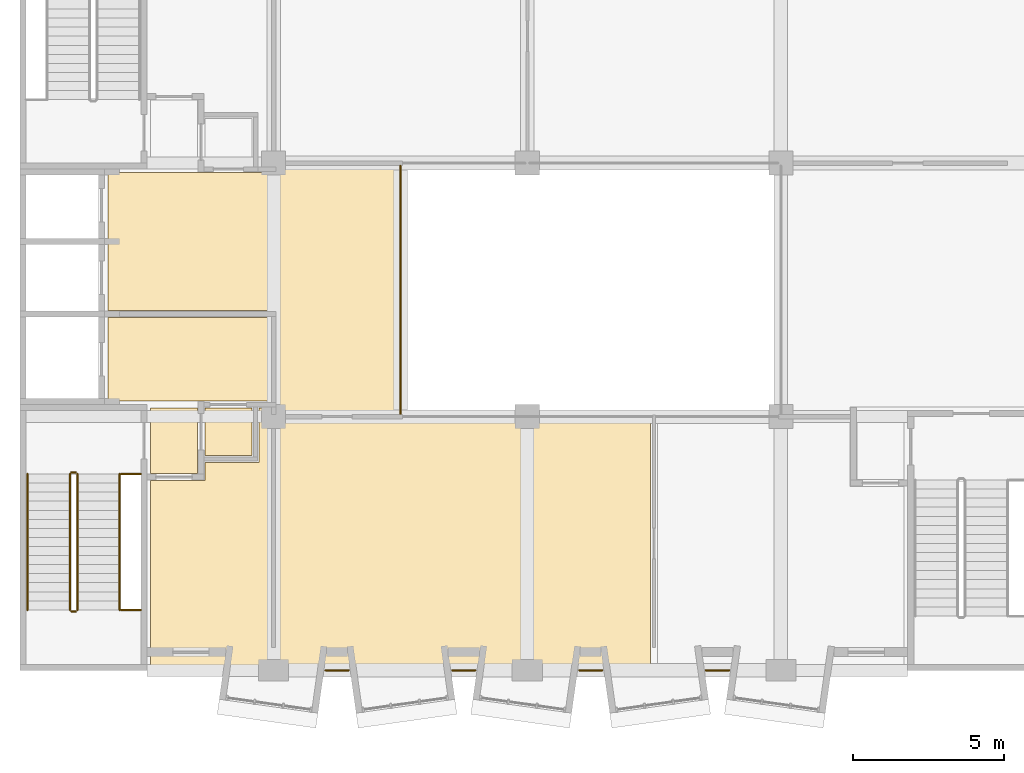
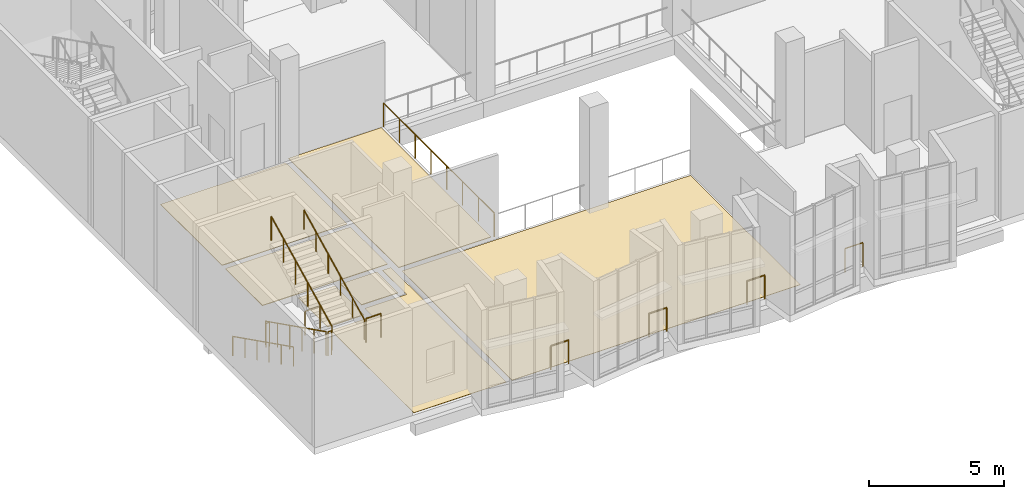
# One storey, part 66 of 86: 13 railings, 7 coverings.
"""IFC4 building model written with IfcOpenShell, lengths in metres."""

import ifcopenshell
import ifcopenshell.guid

model = None  # the IFC model being written
_history = None  # IfcOwnerHistory: only IFC2X3 demands one
_inside = {}  # id of a spatial element -> (the spatial element, [elements in it])
_under = {}  # id of a project, library or spatial element -> (it, [spatial elements below it])
_declared = {}  # id of a project -> (the project, [libraries it declares])
_typed = {}  # id of a type object -> (the type object, [elements of that type])
_made_of = {}  # id of a material, layer set ... -> (it, [elements and type objects made of it])


def new_model(schema):
    """Start an empty IFC model of exactly this schema.

    Asked for "IFC4X3", IfcOpenShell would pick the latest addendum, in which some entities
    have other attributes; the version numbers below select the first issue.
    IFC2X3 requires an IfcOwnerHistory on every rooted entity: one is made here for all.
    """
    global model, _history
    if schema == "IFC4X3":
        model = ifcopenshell.file(schema_version=(4, 3, 0, 0))
    else:
        model = ifcopenshell.file(schema=schema)
    _inside.clear()
    _under.clear()
    _declared.clear()
    _typed.clear()
    _made_of.clear()
    _history = None
    if model.schema == "IFC2X3":
        org = make("IfcOrganization", Name="unknown")
        user = make(
            "IfcPersonAndOrganization",
            ThePerson=make("IfcPerson", FamilyName="unknown"),
            TheOrganization=org,
        )
        app = make(
            "IfcApplication",
            ApplicationDeveloper=org,
            Version="unknown",
            ApplicationFullName="unknown",
            ApplicationIdentifier="unknown",
        )
        _history = make(
            "IfcOwnerHistory",
            OwningUser=user,
            OwningApplication=app,
            ChangeAction="ADDED",
            CreationDate=0,
        )
    return model


def make(cls, **values):
    """One entity of the class cls with the attributes given. An attribute that is None is left unset."""
    return model.create_entity(
        cls, **{name: value for name, value in values.items() if value is not None}
    )


def rooted(cls, **values):
    """An entity with a GlobalId (a new one), such as an element, a storey or a relation."""
    return make(cls, GlobalId=ifcopenshell.guid.new(), OwnerHistory=_history, **values)


def si_unit(unit_type, name, prefix=None):
    """IfcSIUnit, for example si_unit("LENGTHUNIT", "METRE", prefix="MILLI")."""
    return make("IfcSIUnit", UnitType=unit_type, Prefix=prefix, Name=name)


def assignment(units):
    """IfcUnitAssignment: the units of a project."""
    return None if units is None else make("IfcUnitAssignment", Units=units)


def point(xyz):
    """IfcCartesianPoint."""
    return None if xyz is None else make("IfcCartesianPoint", Coordinates=xyz)


def direction(xyz):
    """IfcDirection."""
    return None if xyz is None else make("IfcDirection", DirectionRatios=xyz)


def frame(location, z_axis=None, x_axis=None):
    """IfcAxis2Placement3D, a coordinate frame: its origin and axes. An axis left out is left unset."""
    return make(
        "IfcAxis2Placement3D",
        Location=point(location),
        Axis=direction(z_axis),
        RefDirection=direction(x_axis),
    )


def frame_2d(location, x_axis=None):
    """IfcAxis2Placement2D, a coordinate frame in the plane: its origin and x axis."""
    return make(
        "IfcAxis2Placement2D", Location=point(location), RefDirection=direction(x_axis)
    )


def origin():
    """The frame at (0, 0, 0) with its axes left unset."""
    return frame((0.0, 0.0, 0.0))


def origin_2d():
    """The frame at (0, 0) in the plane with its x axis left unset."""
    return frame_2d((0.0, 0.0))


def place(relative_to, where):
    """IfcLocalPlacement: puts the frame where relative to a parent placement (None: the world)."""
    return make(
        "IfcLocalPlacement", PlacementRelTo=relative_to, RelativePlacement=where
    )


def context(
    kind, dimensions, precision=None, world=None, true_north=None, identifier=None
):
    """IfcGeometricRepresentationContext, for example the 3D "Model" context."""
    return make(
        "IfcGeometricRepresentationContext",
        ContextIdentifier=identifier,
        ContextType=kind,
        CoordinateSpaceDimension=dimensions,
        Precision=precision,
        WorldCoordinateSystem=world,
        TrueNorth=true_north,
    )


def subcontext(parent, identifier, kind, view, scale=None):
    """IfcGeometricRepresentationSubContext, for example "Body" below "Model"."""
    return make(
        "IfcGeometricRepresentationSubContext",
        ContextIdentifier=identifier,
        ContextType=kind,
        ParentContext=parent,
        TargetScale=scale,
        TargetView=view,
    )


def project(units=None, contexts=None):
    """IfcProject with its units and contexts."""
    return rooted(
        "IfcProject",
        Name="project",
        RepresentationContexts=contexts,
        UnitsInContext=assignment(units),
    )


def spatial(cls, under=None, at=None, **own):
    """A site, building, storey or space (cls), placed at a placement, below another one or the project."""
    s = rooted(cls, ObjectPlacement=at, **own)
    if under is not None:
        _under.setdefault(under.id(), (under, []))[1].append(s)
    return s


def polyline(points):
    """IfcPolyline through the points."""
    return make("IfcPolyline", Points=[point(p) for p in points])


def profile(cls, at=None, kind="AREA", **sizes):
    """A parametric profile (cls). Its sizes go by their IFC names, for example OverallWidth=200.0."""
    return make(cls, ProfileType=kind, Position=at, **sizes)


def circle(**sizes):
    """IfcCircleProfileDef."""
    return profile("IfcCircleProfileDef", **sizes)


def outline(outer, holes=None, kind="AREA"):
    """IfcArbitraryClosedProfileDef: a profile drawn as a closed curve; with holes, ...WithVoids."""
    if holes is None:
        return make("IfcArbitraryClosedProfileDef", ProfileType=kind, OuterCurve=outer)
    return make(
        "IfcArbitraryProfileDefWithVoids",
        ProfileType=kind,
        OuterCurve=outer,
        InnerCurves=holes,
    )


def extrude(swept, where, along, depth):
    """IfcExtrudedAreaSolid: the profile swept, set in the frame where, extruded along a direction by depth."""
    return make(
        "IfcExtrudedAreaSolid",
        SweptArea=swept,
        Position=where,
        ExtrudedDirection=direction(along),
        Depth=depth,
    )


def shape(context_of_items, identifier, shape_type, items):
    """IfcShapeRepresentation: the items that make up one representation, for example the "Body"."""
    return make(
        "IfcShapeRepresentation",
        ContextOfItems=context_of_items,
        RepresentationIdentifier=identifier,
        RepresentationType=shape_type,
        Items=items,
    )


def material(Name=None, Category=None):
    """IfcMaterial."""
    return make("IfcMaterial", Name=Name, Category=Category)


def layer(
    of_material, thickness, ventilated=None, Name=None, Category=None, Priority=None
):
    """IfcMaterialLayer: one layer of a wall or slab, of a material (None: an air gap)."""
    return make(
        "IfcMaterialLayer",
        Material=of_material,
        LayerThickness=thickness,
        IsVentilated=ventilated,
        Name=Name,
        Category=Category,
        Priority=Priority,
    )


def layer_set(layers, Name=None):
    """IfcMaterialLayerSet."""
    return make("IfcMaterialLayerSet", MaterialLayers=layers, LayerSetName=Name)


def made_of(thing, what):
    """Note that an element or type object is made of a material, layer set ...; save() writes the relation."""
    if what is not None:
        _made_of.setdefault(what.id(), (what, []))[1].append(thing)
    return thing


def type_object(cls, material=None, **own):
    """A type object (cls), such as IfcWallType, which elements share."""
    return made_of(rooted(cls, **own), material)


def element(
    cls,
    number,
    at=None,
    inside=None,
    cuts=None,
    type_object=None,
    material=None,
    context=None,
    identifier="Body",
    shape_type=None,
    held_by="IfcProductDefinitionShape",
    body=None,
    shapes=None,
    **own,
):
    """One element of the class cls, such as IfcWall. Its Tag is "e" and its number.

    at: its placement. inside: the storey or other place that contains it. cuts: it is an
    opening in that element (IfcRelVoidsElement). A single representation is given by context,
    identifier, shape_type and body (its items); several are given by shapes. held_by: the class
    of the entity that holds the representations. save() writes the other relations.
    """
    e = rooted(cls, Tag="e%d" % number, ObjectPlacement=at, **own)
    if body is not None:
        shapes = [shape(context, identifier, shape_type, body)]
    if shapes is not None:
        e.Representation = make(held_by, Representations=shapes)
    if inside is not None:
        _inside.setdefault(inside.id(), (inside, []))[1].append(e)
    if cuts is not None:
        rooted(
            "IfcRelVoidsElement", RelatingBuildingElement=cuts, RelatedOpeningElement=e
        )
    if type_object is not None:
        _typed.setdefault(type_object.id(), (type_object, []))[1].append(e)
    return made_of(e, material)


def aggregate(whole, parts):
    """IfcRelAggregates: a whole, such as a stair, and the parts it consists of."""
    return rooted("IfcRelAggregates", RelatingObject=whole, RelatedObjects=parts)


def save(model, path):
    """Write the relations noted so far, then the file.

    IfcRelAggregates (storeys below a building ...), IfcRelContainedInSpatialStructure (elements
    in a storey), IfcRelDefinesByType, IfcRelAssociatesMaterial and IfcRelDeclares: one each for
    every whole, place, type object, material and project.
    """
    for whole, parts in _under.values():
        aggregate(whole, parts)
    for where, things in _inside.values():
        rooted(
            "IfcRelContainedInSpatialStructure",
            RelatedElements=things,
            RelatingStructure=where,
        )
    for kind, things in _typed.values():
        rooted("IfcRelDefinesByType", RelatedObjects=things, RelatingType=kind)
    for what, things in _made_of.values():
        rooted("IfcRelAssociatesMaterial", RelatedObjects=things, RelatingMaterial=what)
    for by, libraries in _declared.values():
        rooted("IfcRelDeclares", RelatingContext=by, RelatedDefinitions=libraries)
    model.write(path)


model = new_model("IFC4")

# Units and contexts
model_context = context("Model", 3, precision=1e-05, world=origin(), true_north=direction((0.0, 1.0)))
body_context = subcontext(model_context, "Body", "Model", "MODEL_VIEW")
ifc_project = project(units=[si_unit("LENGTHUNIT", "METRE"), si_unit("AREAUNIT", "SQUARE_METRE"), si_unit("VOLUMEUNIT", "CUBIC_METRE"), si_unit("PLANEANGLEUNIT", "RADIAN"), si_unit("MASSUNIT", "GRAM", prefix="KILO")], contexts=[model_context])

# Site, building, storey
site_placement = place(None, origin())
site = spatial("IfcSite", under=ifc_project, at=site_placement, CompositionType="ELEMENT")
building_placement = place(site_placement, origin())
building = spatial("IfcBuilding", under=site, at=building_placement, Name="Kiln Court Media Centre", CompositionType="ELEMENT")
storey_placement = place(building_placement, frame((0.0, 0.0, 10.199951171875)))
storey = spatial("IfcBuildingStorey", under=building, at=storey_placement, Name="L02", CompositionType="ELEMENT", Elevation=10.199951171875)

# Coverings
ifc_material_1 = material(Name="Carpet tile")
ifc_layer_1 = layer(ifc_material_1, 0.014892578125)
ifc_layer_set_1 = layer_set([ifc_layer_1], Name="Carpet tile floor finish 15")
covering_type_1 = type_object("IfcCoveringType", Name="Carpet tile floor finish 15", PredefinedType="FLOORING", material=ifc_layer_set_1)
covering_1_placement = place(storey_placement, origin())
element("IfcCovering", 1, at=covering_1_placement, inside=storey, type_object=covering_type_1, Name="Reading Room 1 floor finish", PredefinedType="FLOORING", context=body_context, shape_type="SweptSolid", body=[
    extrude(outline(polyline([(8.52001953125, 0.1201171875), (20.8798828125, 0.1201171875), (20.8798828125, 8.280029296875), (8.52001953125, 8.280029296875), (8.52001953125, 0.1201171875)])), origin(), (0.0, 0.0, 1.0), 0.01513671875),
])
ifc_material_2 = material(Name="Ceramic tile")
ifc_layer_2 = layer(ifc_material_2, 0.011962890625)
ifc_layer_set_2 = layer_set([ifc_layer_2], Name="Ceramic tile floor finish 12")
covering_type_2 = type_object("IfcCoveringType", Name="Ceramic tile floor finish 12", PredefinedType="FLOORING", material=ifc_layer_set_2)
covering_2_placement = place(storey_placement, origin())
element("IfcCovering", 2, at=covering_2_placement, inside=storey, type_object=covering_type_2, Name="Toilets and Accessible WC floor finish", PredefinedType="FLOORING", context=body_context, shape_type="SweptSolid", body=[
    extrude(outline(polyline([(8.280029296875, 8.679931640625), (7.919921875, 8.679931640625), (7.919921875, 6.8798828125), (6.1201171875, 6.8798828125), (6.1201171875, 6.280029296875), (4.320068359375, 6.280029296875), (4.320068359375, 0.1201171875), (8.280029296875, 0.1201171875), (8.280029296875, 8.679931640625)])), origin(), (0.0, 0.0, 1.0), 0.011962890625),
])
ifc_material_3 = material(Name="Terrazzo")
ifc_layer_3 = layer(ifc_material_3, 0.02490234375)
ifc_layer_set_3 = layer_set([ifc_layer_3], Name="Polished terrazzo floor finish 25")
covering_type_3 = type_object("IfcCoveringType", Name="Polished terrazzo floor finish 25", PredefinedType="FLOORING", material=ifc_layer_set_3)
covering_3_placement = place(storey_placement, origin())
element("IfcCovering", 3, at=covering_3_placement, inside=storey, type_object=covering_type_3, Name="Stair 1 Vestibule floor finish", PredefinedType="FLOORING", context=body_context, shape_type="SweptSolid", body=[
    extrude(outline(polyline([(4.320068359375, 6.52001953125), (5.8798828125, 6.52001953125), (5.8798828125, 8.679931640625), (4.320068359375, 8.679931640625), (4.320068359375, 6.52001953125)])), origin(), (0.0, 0.0, 1.0), 0.025146484375),
])
covering_4_placement = place(storey_placement, origin())
element("IfcCovering", 4, at=covering_4_placement, inside=storey, type_object=covering_type_3, Name="Wheelchair Refuge floor finish", PredefinedType="FLOORING", context=body_context, shape_type="SweptSolid", body=[
    extrude(outline(polyline([(6.1201171875, 7.1201171875), (7.679931640625, 7.1201171875), (7.679931640625, 8.679931640625), (6.1201171875, 8.679931640625), (6.1201171875, 7.1201171875)])), origin(), (0.0, 0.0, 1.0), 0.025146484375),
])
covering_5_placement = place(storey_placement, origin())
element("IfcCovering", 5, at=covering_5_placement, inside=storey, type_object=covering_type_3, Name="Gallery Landing floor finish", PredefinedType="FLOORING", context=body_context, shape_type="SweptSolid", body=[
    extrude(outline(polyline([(8.52001953125, 8.52001953125), (12.47998046875, 8.52001953125), (12.47998046875, 16.679931640625), (8.52001953125, 16.679931640625), (8.52001953125, 8.52001953125)])), origin(), (0.0, 0.0, 1.0), 0.025146484375),
])
covering_6_placement = place(storey_placement, origin())
element("IfcCovering", 6, at=covering_6_placement, inside=storey, type_object=covering_type_3, Name="Fire-fighting Lift Lobby floor finish", PredefinedType="FLOORING", context=body_context, shape_type="SweptSolid", body=[
    extrude(outline(polyline([(2.919921875, 8.919921875), (8.280029296875, 8.919921875), (8.280029296875, 11.679931640625), (2.919921875, 11.679931640625), (2.919921875, 8.919921875)])), origin(), (0.0, 0.0, 1.0), 0.025146484375),
])
covering_7_placement = place(storey_placement, origin())
element("IfcCovering", 7, at=covering_7_placement, inside=storey, type_object=covering_type_3, Name="Passenger Lift Lobby floor finish", PredefinedType="FLOORING", context=body_context, shape_type="SweptSolid", body=[
    extrude(outline(polyline([(2.919921875, 11.919921875), (8.280029296875, 11.919921875), (8.280029296875, 16.47998046875), (2.919921875, 16.47998046875), (2.919921875, 11.919921875)])), origin(), (0.0, 0.0, 1.0), 0.025146484375),
])

# Railings
ifc_material_4 = material(Name="Steel S275", Category="steel")
railing_type_1 = type_object("IfcRailingType", Name="Steel S275 balustrade guard 1100", PredefinedType="GUARDRAIL", material=ifc_material_4)
railing_1_placement = place(storey_placement, frame((12.60009765625, 16.705078125, 0.0)))
element("IfcRailing", 8, at=railing_1_placement, inside=storey, type_object=railing_type_1, Name="L02 void edge guard", PredefinedType="GUARDRAIL", context=body_context, shape_type="SweptSolid", body=[
    extrude(circle(Radius=0.02392578125, at=origin_2d()), frame((0.0, 0.0, 1.076171875), z_axis=(0.0, -1.0, 0.0), x_axis=(1.0, 0.0, 0.0)), (0.0, 0.0, 1.0), 8.2099609375),
    extrude(circle(Radius=0.02099609375, at=origin_2d()), origin(), (0.0, 0.0, 1.0), 1.052001953125),
    extrude(circle(Radius=0.02099609375, at=origin_2d()), frame((0.0, -1.1728515625, 0.0)), (0.0, 0.0, 1.0), 1.052001953125),
    extrude(circle(Radius=0.02099609375, at=origin_2d()), frame((0.0, -2.345703125, 0.0)), (0.0, 0.0, 1.0), 1.052001953125),
    extrude(circle(Radius=0.02099609375, at=origin_2d()), frame((0.0, -3.5185546875, 0.0)), (0.0, 0.0, 1.0), 1.052001953125),
    extrude(circle(Radius=0.02099609375, at=origin_2d()), frame((0.0, -4.69140625, 0.0)), (0.0, 0.0, 1.0), 1.052001953125),
    extrude(circle(Radius=0.02099609375, at=origin_2d()), frame((0.0, -5.8642578125, 0.0)), (0.0, 0.0, 1.0), 1.052001953125),
    extrude(circle(Radius=0.02099609375, at=origin_2d()), frame((0.0, -7.037109375, 0.0)), (0.0, 0.0, 1.0), 1.052001953125),
    extrude(circle(Radius=0.02099609375, at=origin_2d()), frame((0.0, -8.2099609375, 0.0)), (0.0, 0.0, 1.0), 1.052001953125),
])
for number, where, name in (
    (9, (23.482421875, 0.0, 0.0), "L02 slab notch guard"),
    (10, (19.2822265625, 0.0, 0.0), "L02 slab notch guard"),
    (11, (15.082275390625, 0.0, 0.0), "L02 slab notch guard"),
    (12, (10.88232421875, 0.0, 0.0), "L02 slab notch guard"),
):
    element("IfcRailing", number, at=place(storey_placement, frame(where)), inside=storey, type_object=railing_type_1, Name=name, PredefinedType="GUARDRAIL", context=body_context, shape_type="SweptSolid", body=[
        extrude(circle(Radius=0.02392578125, at=origin_2d()), frame((0.0, 0.0, 1.076171875), z_axis=(-1.0, 0.0, 0.0), x_axis=(0.0, -1.0, 0.0)), (0.0, 0.0, 1.0), 0.7646484375),
        extrude(circle(Radius=0.02099609375, at=origin_2d()), origin(), (0.0, 0.0, 1.0), 1.052001953125),
        extrude(circle(Radius=0.02099609375, at=origin_2d()), frame((-0.7646484375, 0.0, 0.0)), (0.0, 0.0, 1.0), 1.052001953125),
    ])
ifc_material_5 = material(Name="Steel S275", Category="steel")
railing_type_2 = type_object("IfcRailingType", Name="Steel S275 stair guard 1100", PredefinedType="GUARDRAIL", material=ifc_material_5)
railing_2_placement = place(storey_placement, frame((1.64990234375, 6.5, 0.150146484375)))
element("IfcRailing", 13, at=railing_2_placement, inside=storey, type_object=railing_type_2, Name="ST-01 stair guard", PredefinedType="GUARDRAIL", context=body_context, shape_type="SweptSolid", body=[
    extrude(circle(Radius=0.02392578125, at=origin_2d()), frame((0.0, 0.0, 1.076171875), z_axis=(0.0, -0.894427191, 0.4472135955), x_axis=(1.0, 0.0, 0.0)), (0.0, 0.0, 1.0), 5.03125),
    extrude(circle(Radius=0.02099609375, at=origin_2d()), origin(), (0.0, 0.0, 1.0), 1.052001953125),
    extrude(circle(Radius=0.02099609375, at=origin_2d()), frame((0.0, -0.89990234375, 0.449951171875)), (0.0, 0.0, 1.0), 1.052001953125),
    extrude(circle(Radius=0.02099609375, at=origin_2d()), frame((0.0, -1.800048828125, 0.89990234375)), (0.0, 0.0, 1.0), 1.052001953125),
    extrude(circle(Radius=0.02099609375, at=origin_2d()), frame((0.0, -2.699951171875, 1.35009765625)), (0.0, 0.0, 1.0), 1.052001953125),
    extrude(circle(Radius=0.02099609375, at=origin_2d()), frame((0.0, -3.60009765625, 1.800048828125)), (0.0, 0.0, 1.0), 1.052001953125),
    extrude(circle(Radius=0.02099609375, at=origin_2d()), frame((0.0, -4.5, 2.25)), (0.0, 0.0, 1.0), 1.052001953125),
])
railing_3_placement = place(storey_placement, frame((1.699951171875, 1.949951171875, 2.400146484375)))
element("IfcRailing", 14, at=railing_3_placement, inside=storey, type_object=railing_type_2, Name="ST-01 stair guard", PredefinedType="GUARDRAIL", context=body_context, shape_type="SweptSolid", body=[
    extrude(circle(Radius=0.02392578125, at=origin_2d()), frame((0.0, 0.0, 1.076171875), z_axis=(1.0, 0.0, 0.0), x_axis=(0.0, 1.0, 0.0)), (0.0, 0.0, 1.0), 0.150146484375),
    extrude(circle(Radius=0.02099609375, at=origin_2d()), origin(), (0.0, 0.0, 1.0), 1.052001953125),
    extrude(circle(Radius=0.02099609375, at=origin_2d()), frame((0.150146484375, 0.0, 0.0)), (0.0, 0.0, 1.0), 1.052001953125),
])
railing_4_placement = place(storey_placement, frame((1.89990234375, 2.0, 2.550048828125)))
element("IfcRailing", 15, at=railing_4_placement, inside=storey, type_object=railing_type_2, Name="ST-01 stair guard", PredefinedType="GUARDRAIL", context=body_context, shape_type="SweptSolid", body=[
    extrude(circle(Radius=0.02392578125, at=origin_2d()), frame((0.0, 0.0, 1.076171875), z_axis=(0.0, 0.894427191, 0.4472135955), x_axis=(-1.0, 0.0, 0.0)), (0.0, 0.0, 1.0), 5.03125),
    extrude(circle(Radius=0.02099609375, at=origin_2d()), origin(), (0.0, 0.0, 1.0), 1.052001953125),
    extrude(circle(Radius=0.02099609375, at=origin_2d()), frame((0.0, 0.89990234375, 0.449951171875)), (0.0, 0.0, 1.0), 1.052001953125),
    extrude(circle(Radius=0.02099609375, at=origin_2d()), frame((0.0, 1.800048828125, 0.89990234375)), (0.0, 0.0, 1.0), 1.052001953125),
    extrude(circle(Radius=0.02099609375, at=origin_2d()), frame((0.0, 2.699951171875, 1.35009765625)), (0.0, 0.0, 1.0), 1.052001953125),
    extrude(circle(Radius=0.02099609375, at=origin_2d()), frame((0.0, 3.60009765625, 1.800048828125)), (0.0, 0.0, 1.0), 1.052001953125),
    extrude(circle(Radius=0.02099609375, at=origin_2d()), frame((0.0, 4.5, 2.25)), (0.0, 0.0, 1.0), 1.052001953125),
])
railing_5_placement = place(storey_placement, frame((1.699951171875, 6.550048828125, 0.0)))
element("IfcRailing", 16, at=railing_5_placement, inside=storey, type_object=railing_type_2, Name="ST-01 stair guard", PredefinedType="GUARDRAIL", context=body_context, shape_type="SweptSolid", body=[
    extrude(circle(Radius=0.02392578125, at=origin_2d()), frame((0.0, 0.0, 1.076171875), z_axis=(1.0, 0.0, 0.0), x_axis=(0.0, 1.0, 0.0)), (0.0, 0.0, 1.0), 0.150146484375),
    extrude(circle(Radius=0.02099609375, at=origin_2d()), origin(), (0.0, 0.0, 1.0), 1.052001953125),
    extrude(circle(Radius=0.02099609375, at=origin_2d()), frame((0.150146484375, 0.0, 0.0)), (0.0, 0.0, 1.0), 1.052001953125),
])
for number, where, name in (
    (17, (3.35009765625, 2.0, 2.400146484375), "ST-01 landing edge guard"),
    (18, (3.35009765625, 6.5, 0.0), "ST-01 landing edge guard"),
):
    element("IfcRailing", number, at=place(storey_placement, frame(where)), inside=storey, type_object=railing_type_2, Name=name, PredefinedType="GUARDRAIL", context=body_context, shape_type="SweptSolid", body=[
        extrude(circle(Radius=0.02392578125, at=origin_2d()), frame((0.0, 0.0, 1.076171875), z_axis=(1.0, 0.0, 0.0), x_axis=(0.0, 1.0, 0.0)), (0.0, 0.0, 1.0), 0.64990234375),
        extrude(circle(Radius=0.02099609375, at=origin_2d()), origin(), (0.0, 0.0, 1.0), 1.052001953125),
        extrude(circle(Radius=0.02099609375, at=origin_2d()), frame((0.64990234375, 0.0, 0.0)), (0.0, 0.0, 1.0), 1.052001953125),
    ])
ifc_material_6 = material(Name="Steel S275", Category="steel")
railing_type_3 = type_object("IfcRailingType", Name="Steel S275 stair handrail 900", PredefinedType="HANDRAIL", material=ifc_material_6)
railing_6_placement = place(storey_placement, frame((0.25, 6.5, 0.150146484375)))
element("IfcRailing", 19, at=railing_6_placement, inside=storey, type_object=railing_type_3, Name="ST-01 stair handrail", PredefinedType="HANDRAIL", context=body_context, shape_type="SweptSolid", body=[
    extrude(circle(Radius=0.02392578125, at=origin_2d()), frame((0.0, 0.0, 0.8759765625), z_axis=(0.0, -0.894427191, 0.4472135955), x_axis=(1.0, 0.0, 0.0)), (0.0, 0.0, 1.0), 5.03125),
    extrude(circle(Radius=0.02099609375, at=origin_2d()), origin(), (0.0, 0.0, 1.0), 0.851806640625),
    extrude(circle(Radius=0.02099609375, at=origin_2d()), frame((0.0, -0.89990234375, 0.449951171875)), (0.0, 0.0, 1.0), 0.851806640625),
    extrude(circle(Radius=0.02099609375, at=origin_2d()), frame((0.0, -1.800048828125, 0.89990234375)), (0.0, 0.0, 1.0), 0.851806640625),
    extrude(circle(Radius=0.02099609375, at=origin_2d()), frame((0.0, -2.699951171875, 1.35009765625)), (0.0, 0.0, 1.0), 0.851806640625),
    extrude(circle(Radius=0.02099609375, at=origin_2d()), frame((0.0, -3.60009765625, 1.800048828125)), (0.0, 0.0, 1.0), 0.851806640625),
    extrude(circle(Radius=0.02099609375, at=origin_2d()), frame((0.0, -4.5, 2.25)), (0.0, 0.0, 1.0), 0.851806640625),
])
railing_7_placement = place(storey_placement, frame((3.300048828125, 2.0, 2.550048828125)))
element("IfcRailing", 20, at=railing_7_placement, inside=storey, type_object=railing_type_3, Name="ST-01 stair handrail", PredefinedType="HANDRAIL", context=body_context, shape_type="SweptSolid", body=[
    extrude(circle(Radius=0.02392578125, at=origin_2d()), frame((0.0, 0.0, 0.8759765625), z_axis=(0.0, 0.894427191, 0.4472135955), x_axis=(-1.0, 0.0, 0.0)), (0.0, 0.0, 1.0), 5.03125),
    extrude(circle(Radius=0.02099609375, at=origin_2d()), origin(), (0.0, 0.0, 1.0), 0.851806640625),
    extrude(circle(Radius=0.02099609375, at=origin_2d()), frame((0.0, 0.89990234375, 0.449951171875)), (0.0, 0.0, 1.0), 0.851806640625),
    extrude(circle(Radius=0.02099609375, at=origin_2d()), frame((0.0, 1.800048828125, 0.89990234375)), (0.0, 0.0, 1.0), 0.851806640625),
    extrude(circle(Radius=0.02099609375, at=origin_2d()), frame((0.0, 2.699951171875, 1.35009765625)), (0.0, 0.0, 1.0), 0.851806640625),
    extrude(circle(Radius=0.02099609375, at=origin_2d()), frame((0.0, 3.60009765625, 1.800048828125)), (0.0, 0.0, 1.0), 0.851806640625),
    extrude(circle(Radius=0.02099609375, at=origin_2d()), frame((0.0, 4.5, 2.25)), (0.0, 0.0, 1.0), 0.851806640625),
])

save(model, "model.ifc")
